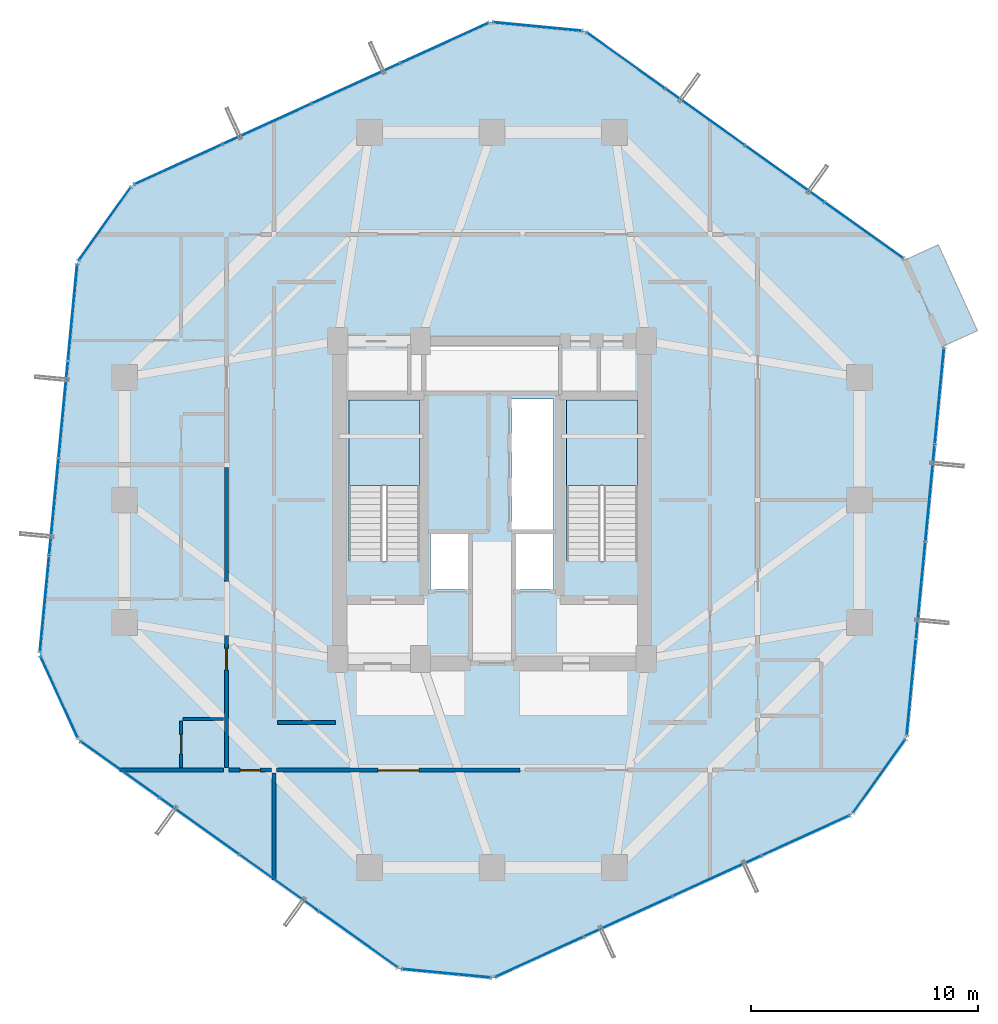
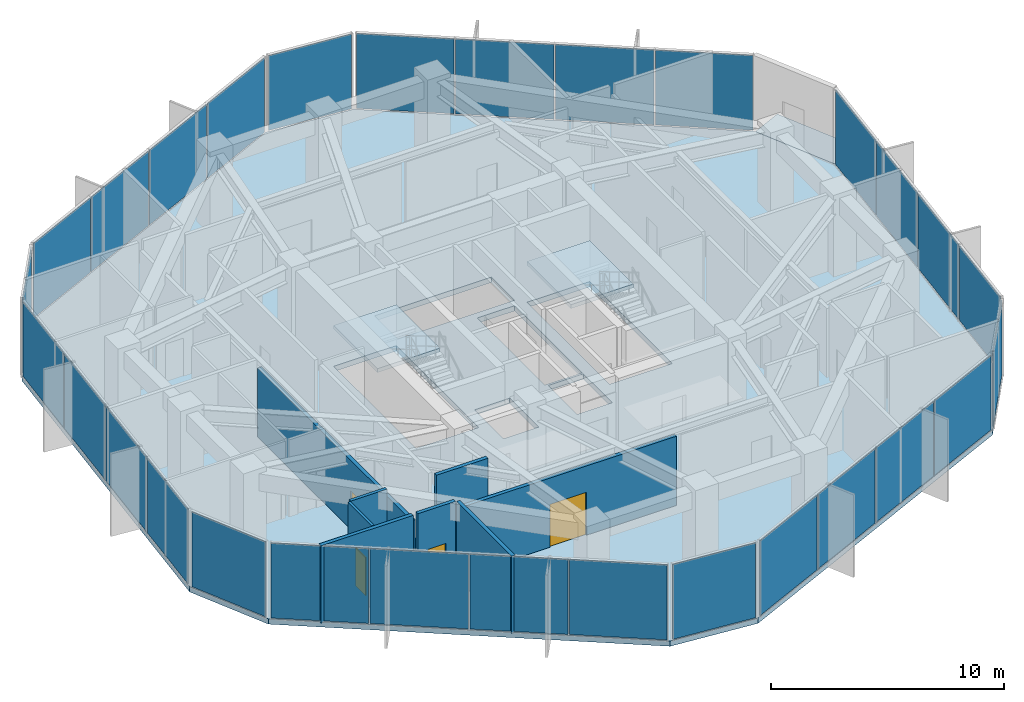
# One storey, part 20 of 25: 29 plates, 8 walls, 4 doors, 4 slabs, 4 openings, 13 elements without a shape of their own.
"""IFC4 building model written with IfcOpenShell, lengths in metres."""

import ifcopenshell
import ifcopenshell.guid

model = None  # the IFC model being written
_history = None  # IfcOwnerHistory: only IFC2X3 demands one
_inside = {}  # id of a spatial element -> (the spatial element, [elements in it])
_under = {}  # id of a project, library or spatial element -> (it, [spatial elements below it])
_declared = {}  # id of a project -> (the project, [libraries it declares])
_typed = {}  # id of a type object -> (the type object, [elements of that type])
_made_of = {}  # id of a material, layer set ... -> (it, [elements and type objects made of it])


def new_model(schema):
    """Start an empty IFC model of exactly this schema.

    Asked for "IFC4X3", IfcOpenShell would pick the latest addendum, in which some entities
    have other attributes; the version numbers below select the first issue.
    IFC2X3 requires an IfcOwnerHistory on every rooted entity: one is made here for all.
    """
    global model, _history
    if schema == "IFC4X3":
        model = ifcopenshell.file(schema_version=(4, 3, 0, 0))
    else:
        model = ifcopenshell.file(schema=schema)
    _inside.clear()
    _under.clear()
    _declared.clear()
    _typed.clear()
    _made_of.clear()
    _history = None
    if model.schema == "IFC2X3":
        org = make("IfcOrganization", Name="unknown")
        user = make(
            "IfcPersonAndOrganization",
            ThePerson=make("IfcPerson", FamilyName="unknown"),
            TheOrganization=org,
        )
        app = make(
            "IfcApplication",
            ApplicationDeveloper=org,
            Version="unknown",
            ApplicationFullName="unknown",
            ApplicationIdentifier="unknown",
        )
        _history = make(
            "IfcOwnerHistory",
            OwningUser=user,
            OwningApplication=app,
            ChangeAction="ADDED",
            CreationDate=0,
        )
    return model


def make(cls, **values):
    """One entity of the class cls with the attributes given. An attribute that is None is left unset."""
    return model.create_entity(
        cls, **{name: value for name, value in values.items() if value is not None}
    )


def rooted(cls, **values):
    """An entity with a GlobalId (a new one), such as an element, a storey or a relation."""
    return make(cls, GlobalId=ifcopenshell.guid.new(), OwnerHistory=_history, **values)


def si_unit(unit_type, name, prefix=None):
    """IfcSIUnit, for example si_unit("LENGTHUNIT", "METRE", prefix="MILLI")."""
    return make("IfcSIUnit", UnitType=unit_type, Prefix=prefix, Name=name)


def assignment(units):
    """IfcUnitAssignment: the units of a project."""
    return None if units is None else make("IfcUnitAssignment", Units=units)


def point(xyz):
    """IfcCartesianPoint."""
    return None if xyz is None else make("IfcCartesianPoint", Coordinates=xyz)


def direction(xyz):
    """IfcDirection."""
    return None if xyz is None else make("IfcDirection", DirectionRatios=xyz)


def frame(location, z_axis=None, x_axis=None):
    """IfcAxis2Placement3D, a coordinate frame: its origin and axes. An axis left out is left unset."""
    return make(
        "IfcAxis2Placement3D",
        Location=point(location),
        Axis=direction(z_axis),
        RefDirection=direction(x_axis),
    )


def frame_2d(location, x_axis=None):
    """IfcAxis2Placement2D, a coordinate frame in the plane: its origin and x axis."""
    return make(
        "IfcAxis2Placement2D", Location=point(location), RefDirection=direction(x_axis)
    )


def origin():
    """The frame at (0, 0, 0) with its axes left unset."""
    return frame((0.0, 0.0, 0.0))


def origin_2d():
    """The frame at (0, 0) in the plane with its x axis left unset."""
    return frame_2d((0.0, 0.0))


def place(relative_to, where):
    """IfcLocalPlacement: puts the frame where relative to a parent placement (None: the world)."""
    return make(
        "IfcLocalPlacement", PlacementRelTo=relative_to, RelativePlacement=where
    )


def context(
    kind, dimensions, precision=None, world=None, true_north=None, identifier=None
):
    """IfcGeometricRepresentationContext, for example the 3D "Model" context."""
    return make(
        "IfcGeometricRepresentationContext",
        ContextIdentifier=identifier,
        ContextType=kind,
        CoordinateSpaceDimension=dimensions,
        Precision=precision,
        WorldCoordinateSystem=world,
        TrueNorth=true_north,
    )


def subcontext(parent, identifier, kind, view, scale=None):
    """IfcGeometricRepresentationSubContext, for example "Body" below "Model"."""
    return make(
        "IfcGeometricRepresentationSubContext",
        ContextIdentifier=identifier,
        ContextType=kind,
        ParentContext=parent,
        TargetScale=scale,
        TargetView=view,
    )


def project(units=None, contexts=None):
    """IfcProject with its units and contexts."""
    return rooted(
        "IfcProject",
        Name="project",
        RepresentationContexts=contexts,
        UnitsInContext=assignment(units),
    )


def spatial(cls, under=None, at=None, **own):
    """A site, building, storey or space (cls), placed at a placement, below another one or the project."""
    s = rooted(cls, ObjectPlacement=at, **own)
    if under is not None:
        _under.setdefault(under.id(), (under, []))[1].append(s)
    return s


def polyline(points):
    """IfcPolyline through the points."""
    return make("IfcPolyline", Points=[point(p) for p in points])


def profile(cls, at=None, kind="AREA", **sizes):
    """A parametric profile (cls). Its sizes go by their IFC names, for example OverallWidth=200.0."""
    return make(cls, ProfileType=kind, Position=at, **sizes)


def rectangle(**sizes):
    """IfcRectangleProfileDef."""
    return profile("IfcRectangleProfileDef", **sizes)


def outline(outer, holes=None, kind="AREA"):
    """IfcArbitraryClosedProfileDef: a profile drawn as a closed curve; with holes, ...WithVoids."""
    if holes is None:
        return make("IfcArbitraryClosedProfileDef", ProfileType=kind, OuterCurve=outer)
    return make(
        "IfcArbitraryProfileDefWithVoids",
        ProfileType=kind,
        OuterCurve=outer,
        InnerCurves=holes,
    )


def extrude(swept, where, along, depth):
    """IfcExtrudedAreaSolid: the profile swept, set in the frame where, extruded along a direction by depth."""
    return make(
        "IfcExtrudedAreaSolid",
        SweptArea=swept,
        Position=where,
        ExtrudedDirection=direction(along),
        Depth=depth,
    )


def shape(context_of_items, identifier, shape_type, items):
    """IfcShapeRepresentation: the items that make up one representation, for example the "Body"."""
    return make(
        "IfcShapeRepresentation",
        ContextOfItems=context_of_items,
        RepresentationIdentifier=identifier,
        RepresentationType=shape_type,
        Items=items,
    )


def source(mapping_origin, context_of_items, identifier, shape_type, items):
    """IfcRepresentationMap: a shape defined once, which mapped items show again and again."""
    return make(
        "IfcRepresentationMap",
        MappingOrigin=mapping_origin,
        MappedRepresentation=shape(context_of_items, identifier, shape_type, items),
    )


def transform(
    local_origin,
    x_axis=None,
    y_axis=None,
    z_axis=None,
    scale=None,
    scale2=None,
    scale3=None,
    uniform=True,
):
    """IfcCartesianTransformationOperator3D, or its non-uniform kind. x_axis, y_axis, z_axis: its Axis1, 2, 3."""
    if uniform:
        return make(
            "IfcCartesianTransformationOperator3D",
            Axis1=direction(x_axis),
            Axis2=direction(y_axis),
            LocalOrigin=point(local_origin),
            Scale=scale,
            Axis3=direction(z_axis),
        )
    return make(
        "IfcCartesianTransformationOperator3DnonUniform",
        Axis1=direction(x_axis),
        Axis2=direction(y_axis),
        LocalOrigin=point(local_origin),
        Scale=scale,
        Axis3=direction(z_axis),
        Scale2=scale2,
        Scale3=scale3,
    )


def mapped(mapping_source, mapping_target):
    """IfcMappedItem: shows the shape of a source again, moved by a transform."""
    return make(
        "IfcMappedItem", MappingSource=mapping_source, MappingTarget=mapping_target
    )


def material(Name=None, Category=None):
    """IfcMaterial."""
    return make("IfcMaterial", Name=Name, Category=Category)


def layer(
    of_material, thickness, ventilated=None, Name=None, Category=None, Priority=None
):
    """IfcMaterialLayer: one layer of a wall or slab, of a material (None: an air gap)."""
    return make(
        "IfcMaterialLayer",
        Material=of_material,
        LayerThickness=thickness,
        IsVentilated=ventilated,
        Name=Name,
        Category=Category,
        Priority=Priority,
    )


def layer_set(layers, Name=None):
    """IfcMaterialLayerSet."""
    return make("IfcMaterialLayerSet", MaterialLayers=layers, LayerSetName=Name)


def made_of(thing, what):
    """Note that an element or type object is made of a material, layer set ...; save() writes the relation."""
    if what is not None:
        _made_of.setdefault(what.id(), (what, []))[1].append(thing)
    return thing


def type_object(cls, material=None, **own):
    """A type object (cls), such as IfcWallType, which elements share."""
    return made_of(rooted(cls, **own), material)


def element(
    cls,
    number,
    at=None,
    inside=None,
    cuts=None,
    type_object=None,
    material=None,
    context=None,
    identifier="Body",
    shape_type=None,
    held_by="IfcProductDefinitionShape",
    body=None,
    shapes=None,
    **own,
):
    """One element of the class cls, such as IfcWall. Its Tag is "e" and its number.

    at: its placement. inside: the storey or other place that contains it. cuts: it is an
    opening in that element (IfcRelVoidsElement). A single representation is given by context,
    identifier, shape_type and body (its items); several are given by shapes. held_by: the class
    of the entity that holds the representations. save() writes the other relations.
    """
    e = rooted(cls, Tag="e%d" % number, ObjectPlacement=at, **own)
    if body is not None:
        shapes = [shape(context, identifier, shape_type, body)]
    if shapes is not None:
        e.Representation = make(held_by, Representations=shapes)
    if inside is not None:
        _inside.setdefault(inside.id(), (inside, []))[1].append(e)
    if cuts is not None:
        rooted(
            "IfcRelVoidsElement", RelatingBuildingElement=cuts, RelatedOpeningElement=e
        )
    if type_object is not None:
        _typed.setdefault(type_object.id(), (type_object, []))[1].append(e)
    return made_of(e, material)


def fill(opening, filler):
    """IfcRelFillsElement: the door or window that sits in an opening."""
    return rooted(
        "IfcRelFillsElement",
        RelatingOpeningElement=opening,
        RelatedBuildingElement=filler,
    )


def aggregate(whole, parts):
    """IfcRelAggregates: a whole, such as a stair, and the parts it consists of."""
    return rooted("IfcRelAggregates", RelatingObject=whole, RelatedObjects=parts)


def save(model, path):
    """Write the relations noted so far, then the file.

    IfcRelAggregates (storeys below a building ...), IfcRelContainedInSpatialStructure (elements
    in a storey), IfcRelDefinesByType, IfcRelAssociatesMaterial and IfcRelDeclares: one each for
    every whole, place, type object, material and project.
    """
    for whole, parts in _under.values():
        aggregate(whole, parts)
    for where, things in _inside.values():
        rooted(
            "IfcRelContainedInSpatialStructure",
            RelatedElements=things,
            RelatingStructure=where,
        )
    for kind, things in _typed.values():
        rooted("IfcRelDefinesByType", RelatedObjects=things, RelatingType=kind)
    for what, things in _made_of.values():
        rooted("IfcRelAssociatesMaterial", RelatedObjects=things, RelatingMaterial=what)
    for by, libraries in _declared.values():
        rooted("IfcRelDeclares", RelatingContext=by, RelatedDefinitions=libraries)
    model.write(path)


model = new_model("IFC4")

# Units and contexts
model_context = context("Model", 3, precision=1e-05, world=origin(), true_north=direction((0.0, 1.0)))
body_context = subcontext(model_context, "Body", "Model", "MODEL_VIEW")
ifc_project = project(units=[si_unit("LENGTHUNIT", "METRE"), si_unit("AREAUNIT", "SQUARE_METRE"), si_unit("VOLUMEUNIT", "CUBIC_METRE"), si_unit("PLANEANGLEUNIT", "RADIAN"), si_unit("MASSUNIT", "GRAM", prefix="KILO")], contexts=[model_context])

# Site, building, storey
site_placement = place(None, origin())
site = spatial("IfcSite", under=ifc_project, at=site_placement, CompositionType="ELEMENT")
building_placement = place(site_placement, origin())
building = spatial("IfcBuilding", under=site, at=building_placement, Name="Veraguas Prism Commons", CompositionType="ELEMENT")
storey_placement = place(building_placement, frame((0.0, 0.0, 108.949951171875)))
storey = spatial("IfcBuildingStorey", under=building, at=storey_placement, Name="L30", CompositionType="ELEMENT", Elevation=108.949951171875)

# Slab
ifc_material_1 = material(Name="Concrete C45/55", Category="concrete")
ifc_layer_1 = layer(ifc_material_1, 0.280029296875, Name="Community Assembly Floor Slab RC 280", Category="concrete")
ifc_layer_set_1 = layer_set([ifc_layer_1], Name="Concrete C45/55")
slab_type_1 = type_object("IfcSlabType", Name="Community Assembly Floor Slab RC 280", PredefinedType="FLOOR", material=ifc_layer_set_1)
slab_1_placement = place(storey_placement, frame((0.0, 0.0, -0.280029296875)))
element("IfcSlab", 1, at=slab_1_placement, inside=storey, type_object=slab_type_1, Name="Tower Floor Slab L30", PredefinedType="FLOOR", context=body_context, shape_type="SweptSolid", body=[
    extrude(outline(polyline([(43.92578125, 30.798583984375), (42.20361328125, 34.577880859375), (28.0751953125, 44.655517578125), (23.941162109375, 45.0537109375), (8.1494140625, 37.85693359375), (5.737548828125, 34.475830078125), (4.07421875, 17.201416015625), (5.79638671875, 13.422119140625), (19.9248046875, 3.344482421875), (24.058837890625, 2.9462890625), (39.8505859375, 10.14306640625), (42.262451171875, 13.524169921875), (43.92578125, 30.798583984375)]), holes=[polyline([(20.800048828125, 21.31005859375), (20.800048828125, 28.39990234375), (17.68994140625, 28.39990234375), (17.68994140625, 21.31005859375), (20.800048828125, 21.31005859375)]), polyline([(30.39990234375, 21.31005859375), (30.39990234375, 28.39990234375), (27.2900390625, 28.39990234375), (27.2900390625, 21.31005859375), (30.39990234375, 21.31005859375)]), polyline([(24.85009765625, 22.64990234375), (26.699951171875, 22.64990234375), (26.699951171875, 28.449951171875), (24.85009765625, 28.449951171875), (24.85009765625, 22.64990234375)]), polyline([(21.10009765625, 28.800048828125), (26.89990234375, 28.800048828125), (26.89990234375, 30.800048828125), (21.10009765625, 30.800048828125), (21.10009765625, 28.800048828125)]), polyline([(21.300048828125, 20.050048828125), (23.050048828125, 20.050048828125), (23.050048828125, 22.550048828125), (21.300048828125, 22.550048828125), (21.300048828125, 20.050048828125)]), polyline([(24.949951171875, 20.050048828125), (26.699951171875, 20.050048828125), (26.699951171875, 22.550048828125), (24.949951171875, 22.550048828125), (24.949951171875, 20.050048828125)])]), origin(), (0.0, 0.0, 1.0), 0.280029296875),
])

# Stair, slab
ifc_material_2 = material(Name="Precast concrete C45/55", Category="concrete")
stair_type = type_object("IfcStairType", Name="Dogleg Core Stair 1480W 26R 06", PredefinedType="HALF_TURN_STAIR", material=ifc_material_2)
stair_1_placement = place(storey_placement, origin())
stair_1 = element("IfcStair", 2, at=stair_1_placement, inside=storey, type_object=stair_type, Name="Protected Exit Stair ST-01 L30", PredefinedType="HALF_TURN_STAIR")
ifc_layer_2 = layer(ifc_material_2, 0.199951171875, Name="Precast Stair and Ramp Landing Slab 200", Category="concrete")
ifc_layer_set_2 = layer_set([ifc_layer_2], Name="Precast concrete C45/55")
slab_type_2 = type_object("IfcSlabType", Name="Precast Stair and Ramp Landing Slab 200", PredefinedType="LANDING", material=ifc_layer_set_2)
slab_2_placement = place(storey_placement, frame((0.0, 0.0, 1.949951171875)))
slab_2 = element("IfcSlab", 3, at=slab_2_placement, type_object=slab_type_2, Name="ST-06 Landing 1", PredefinedType="LANDING", context=body_context, shape_type="SweptSolid", body=[
    extrude(outline(polyline([(20.800048828125, 24.639892578125), (20.800048828125, 28.39990234375), (17.68994140625, 28.39990234375), (17.68994140625, 24.639892578125), (20.800048828125, 24.639892578125)])), origin(), (0.0, 0.0, 1.0), 0.2001953125),
])
aggregate(stair_1, [slab_2])

stair_2_placement = place(storey_placement, origin())
stair_2 = element("IfcStair", 4, at=stair_2_placement, inside=storey, type_object=stair_type, Name="Protected Exit Stair ST-02 L30", PredefinedType="HALF_TURN_STAIR")
slab_3_placement = place(storey_placement, frame((0.0, 0.0, 1.949951171875)))
slab_3 = element("IfcSlab", 5, at=slab_3_placement, type_object=slab_type_2, Name="ST-06 Landing 1", PredefinedType="LANDING", context=body_context, shape_type="SweptSolid", body=[
    extrude(outline(polyline([(30.39990234375, 24.639892578125), (30.39990234375, 28.39990234375), (27.2900390625, 28.39990234375), (27.2900390625, 24.639892578125), (30.39990234375, 24.639892578125)])), origin(), (0.0, 0.0, 1.0), 0.2001953125),
])
aggregate(stair_2, [slab_3])

# Slab
ifc_layer_3 = layer(ifc_material_1, 0.219970703125, Name="Recessed Loggia and Terrace Slab RC 220", Category="concrete")
ifc_layer_set_3 = layer_set([ifc_layer_3], Name="Concrete C45/55")
slab_type_3 = type_object("IfcSlabType", Name="Recessed Loggia and Terrace Slab RC 220", PredefinedType="FLOOR", material=ifc_layer_set_3)
slab_4_placement = place(storey_placement, frame((0.0, 0.0, -0.219970703125)))
element("IfcSlab", 6, at=slab_4_placement, inside=storey, type_object=slab_type_3, Name="Recessed Corner Loggia L30-C1", PredefinedType="FLOOR", context=body_context, shape_type="SweptSolid", body=[
    extrude(outline(polyline([(43.90771484375, 30.790283203125), (45.381591796875, 31.462158203125), (43.659423828125, 35.241455078125), (42.185302734375, 34.569580078125), (43.90771484375, 30.790283203125)])), origin(), (0.0, 0.0, 1.0), 0.219970703125),
])

# Curtain wall, plates
ifc_material_3 = material(Name="Anodised aluminium EN AW-6063 T6", Category="aluminium")
ifc_layer_4 = layer(ifc_material_3, 0.199951171875, Name="Sky Lobby and Pool Acoustic Curtain Wall", Category="aluminium")
ifc_layer_set_4 = layer_set([ifc_layer_4], Name="Anodised aluminium EN AW-6063 T6")
curtain_wall_type = type_object("IfcCurtainWallType", Name="Sky Lobby and Pool Acoustic Curtain Wall", PredefinedType="NOTDEFINED", material=ifc_layer_set_4)
curtain_wall_1_placement = place(storey_placement, origin())
curtain_wall_1 = element("IfcCurtainWall", 7, at=curtain_wall_1_placement, inside=storey, type_object=curtain_wall_type, Name="Tower Facade Curtain Wall L30-F1", PredefinedType="NOTDEFINED")
ifc_material_4 = material(Name="Laminated low-e glass", Category="glass")
ifc_layer_5 = layer(ifc_material_4, 0.031982421875, Name="Concourse Acoustic Triple Glazed Panel 32", Category="glass")
ifc_layer_set_5 = layer_set([ifc_layer_5], Name="Laminated low-e glass")
plate_type = type_object("IfcPlateType", Name="Concourse Acoustic Triple Glazed Panel 32", PredefinedType="CURTAIN_PANEL", material=ifc_layer_set_5)
shared_shape_1 = source(origin(), body_context, "Body", "SweptSolid", [
    extrude(rectangle(XDim=4.211181640625, YDim=0.031982421875, at=origin_2d()), origin(), (0.0, 0.0, 1.0), 3.929931640625),
])
plate_1_placement = place(storey_placement, frame((40.3876953125, 35.873046875, 0.06005859375), z_axis=(0.0, 0.0, 1.0), x_axis=(-0.814114504837, 0.58070437661, 0.0)))
plate_1 = element("IfcPlate", 8, at=plate_1_placement, type_object=plate_type, Name="CW-SKY Panel 1.1", PredefinedType="CURTAIN_PANEL", context=body_context, shape_type="MappedRepresentation", body=[
    mapped(shared_shape_1, transform((0.0, 0.0, 0.0), scale=1.0)),
])
plate_2_placement = place(storey_placement, frame((29.890869140625, 43.3603515625, 0.06005859375), z_axis=(0.0, 0.0, 1.0), x_axis=(-0.814114504837, 0.58070437661, 0.0)))
plate_2 = element("IfcPlate", 9, at=plate_2_placement, type_object=plate_type, Name="CW-SKY Panel 4.1", PredefinedType="CURTAIN_PANEL", context=body_context, shape_type="MappedRepresentation", body=[
    mapped(shared_shape_1, transform((0.0, 0.0, 0.0), scale=1.0)),
])

curtain_wall_2_placement = place(storey_placement, origin())
curtain_wall_2 = element("IfcCurtainWall", 10, at=curtain_wall_2_placement, inside=storey, type_object=curtain_wall_type, Name="Tower Facade Curtain Wall L30-F2", PredefinedType="NOTDEFINED")
plate_3_placement = place(storey_placement, frame((21.911376953125, 44.128662109375, 0.06005859375), z_axis=(0.0, 0.0, 1.0), x_axis=(-0.909960547099, -0.414694830838, 0.0)))
plate_3 = element("IfcPlate", 11, at=plate_3_placement, type_object=plate_type, Name="CW-SKY Panel 1.1", PredefinedType="CURTAIN_PANEL", context=body_context, shape_type="MappedRepresentation", body=[
    mapped(shared_shape_1, transform((0.0, 0.0, 0.0), scale=1.0)),
])
plate_4_placement = place(storey_placement, frame((10.178955078125, 38.781982421875, 0.06005859375), z_axis=(0.0, 0.0, 1.0), x_axis=(-0.909960547099, -0.414694830838, 0.0)))
plate_4 = element("IfcPlate", 12, at=plate_4_placement, type_object=plate_type, Name="CW-SKY Panel 4.1", PredefinedType="CURTAIN_PANEL", context=body_context, shape_type="MappedRepresentation", body=[
    mapped(shared_shape_1, transform((0.0, 0.0, 0.0), scale=1.0)),
])

curtain_wall_3_placement = place(storey_placement, origin())
curtain_wall_3 = element("IfcCurtainWall", 13, at=curtain_wall_3_placement, inside=storey, type_object=curtain_wall_type, Name="Tower Facade Curtain Wall L30-F3", PredefinedType="NOTDEFINED")
plate_5_placement = place(storey_placement, frame((5.523681640625, 32.255615234375, 0.06005859375), z_axis=(0.0, 0.0, 1.0), x_axis=(-0.095837066046, -0.995397034741, 0.0)))
plate_5 = element("IfcPlate", 14, at=plate_5_placement, type_object=plate_type, Name="CW-SKY Panel 1.1", PredefinedType="CURTAIN_PANEL", context=body_context, shape_type="MappedRepresentation", body=[
    mapped(shared_shape_1, transform((0.0, 0.0, 0.0), scale=1.0)),
])
plate_6_placement = place(storey_placement, frame((4.2880859375, 19.421630859375, 0.06005859375), z_axis=(0.0, 0.0, 1.0), x_axis=(-0.095837066046, -0.995397034741, 0.0)))
plate_6 = element("IfcPlate", 15, at=plate_6_placement, type_object=plate_type, Name="CW-SKY Panel 4.1", PredefinedType="CURTAIN_PANEL", context=body_context, shape_type="MappedRepresentation", body=[
    mapped(shared_shape_1, transform((0.0, 0.0, 0.0), scale=1.0)),
])

curtain_wall_4_placement = place(storey_placement, origin())
curtain_wall_4 = element("IfcCurtainWall", 16, at=curtain_wall_4_placement, inside=storey, type_object=curtain_wall_type, Name="Tower Facade Curtain Wall L30-F4", PredefinedType="NOTDEFINED")
plate_7_placement = place(storey_placement, frame((7.6123046875, 12.126953125, 0.06005859375), z_axis=(0.0, 0.0, 1.0), x_axis=(0.814114504837, -0.58070437661, 0.0)))
plate_7 = element("IfcPlate", 17, at=plate_7_placement, type_object=plate_type, Name="CW-SKY Panel 1.1", PredefinedType="CURTAIN_PANEL", context=body_context, shape_type="MappedRepresentation", body=[
    mapped(shared_shape_1, transform((0.0, 0.0, 0.0), scale=1.0)),
])
plate_8_placement = place(storey_placement, frame((18.109130859375, 4.6396484375, 0.06005859375), z_axis=(0.0, 0.0, 1.0), x_axis=(0.814114504837, -0.58070437661, 0.0)))
plate_8 = element("IfcPlate", 18, at=plate_8_placement, type_object=plate_type, Name="CW-SKY Panel 4.1", PredefinedType="CURTAIN_PANEL", context=body_context, shape_type="MappedRepresentation", body=[
    mapped(shared_shape_1, transform((0.0, 0.0, 0.0), scale=1.0)),
])

curtain_wall_5_placement = place(storey_placement, origin())
curtain_wall_5 = element("IfcCurtainWall", 19, at=curtain_wall_5_placement, inside=storey, type_object=curtain_wall_type, Name="Tower Facade Curtain Wall L30-F5", PredefinedType="NOTDEFINED")
plate_9_placement = place(storey_placement, frame((26.088623046875, 3.871337890625, 0.06005859375), z_axis=(0.0, 0.0, 1.0), x_axis=(0.909960547099, 0.414694830838, 0.0)))
plate_9 = element("IfcPlate", 20, at=plate_9_placement, type_object=plate_type, Name="CW-SKY Panel 1.1", PredefinedType="CURTAIN_PANEL", context=body_context, shape_type="MappedRepresentation", body=[
    mapped(shared_shape_1, transform((0.0, 0.0, 0.0), scale=1.0)),
])
plate_10_placement = place(storey_placement, frame((37.821044921875, 9.218017578125, 0.06005859375), z_axis=(0.0, 0.0, 1.0), x_axis=(0.909960547099, 0.414694830838, 0.0)))
plate_10 = element("IfcPlate", 21, at=plate_10_placement, type_object=plate_type, Name="CW-SKY Panel 4.1", PredefinedType="CURTAIN_PANEL", context=body_context, shape_type="MappedRepresentation", body=[
    mapped(shared_shape_1, transform((0.0, 0.0, 0.0), scale=1.0)),
])

curtain_wall_6_placement = place(storey_placement, origin())
curtain_wall_6 = element("IfcCurtainWall", 22, at=curtain_wall_6_placement, inside=storey, type_object=curtain_wall_type, Name="Tower Facade Curtain Wall L30-F6", PredefinedType="NOTDEFINED")
plate_11_placement = place(storey_placement, frame((42.476318359375, 15.744384765625, 0.06005859375), z_axis=(0.0, 0.0, 1.0), x_axis=(0.095837066046, 0.995397034741, 0.0)))
plate_11 = element("IfcPlate", 23, at=plate_11_placement, type_object=plate_type, Name="CW-SKY Panel 1.1", PredefinedType="CURTAIN_PANEL", context=body_context, shape_type="MappedRepresentation", body=[
    mapped(shared_shape_1, transform((0.0, 0.0, 0.0), scale=1.0)),
])
plate_12_placement = place(storey_placement, frame((43.7119140625, 28.578369140625, 0.06005859375), z_axis=(0.0, 0.0, 1.0), x_axis=(0.095837066046, 0.995397034741, 0.0)))
plate_12 = element("IfcPlate", 24, at=plate_12_placement, type_object=plate_type, Name="CW-SKY Panel 4.1", PredefinedType="CURTAIN_PANEL", context=body_context, shape_type="MappedRepresentation", body=[
    mapped(shared_shape_1, transform((0.0, 0.0, 0.0), scale=1.0)),
])

# Plate
shared_shape_2 = source(origin(), body_context, "Body", "SweptSolid", [
    extrude(rectangle(XDim=4.24365234375, YDim=0.031982421875, at=origin_2d()), origin(), (0.0, 0.0, 1.0), 3.929931640625),
])
plate_13_placement = place(storey_placement, frame((36.89306640625, 38.36572265625, 0.06005859375), z_axis=(0.0, 0.0, 1.0), x_axis=(-0.814114504837, 0.58070437661, 0.0)))
plate_13 = element("IfcPlate", 25, at=plate_13_placement, type_object=plate_type, Name="CW-SKY Panel 2.1", PredefinedType="CURTAIN_PANEL", context=body_context, shape_type="MappedRepresentation", body=[
    mapped(shared_shape_2, transform((0.0, 0.0, 0.0), scale=1.0)),
])

plate_14_placement = place(storey_placement, frame((33.385498046875, 40.86767578125, 0.06005859375), z_axis=(0.0, 0.0, 1.0), x_axis=(-0.814114504837, 0.58070437661, 0.0)))
plate_14 = element("IfcPlate", 26, at=plate_14_placement, type_object=plate_type, Name="CW-SKY Panel 3.1", PredefinedType="CURTAIN_PANEL", context=body_context, shape_type="MappedRepresentation", body=[
    mapped(shared_shape_2, transform((0.0, 0.0, 0.0), scale=1.0)),
])

aggregate(curtain_wall_1, [plate_1, plate_13, plate_14, plate_2])

plate_15_placement = place(storey_placement, frame((18.005615234375, 42.3486328125, 0.06005859375), z_axis=(0.0, 0.0, 1.0), x_axis=(-0.909960547099, -0.414694830838, 0.0)))
plate_15 = element("IfcPlate", 27, at=plate_15_placement, type_object=plate_type, Name="CW-SKY Panel 2.1", PredefinedType="CURTAIN_PANEL", context=body_context, shape_type="MappedRepresentation", body=[
    mapped(shared_shape_2, transform((0.0, 0.0, 0.0), scale=1.0)),
])

plate_16_placement = place(storey_placement, frame((14.0849609375, 40.56201171875, 0.06005859375), z_axis=(0.0, 0.0, 1.0), x_axis=(-0.909960547099, -0.414694830838, 0.0)))
plate_16 = element("IfcPlate", 28, at=plate_16_placement, type_object=plate_type, Name="CW-SKY Panel 3.1", PredefinedType="CURTAIN_PANEL", context=body_context, shape_type="MappedRepresentation", body=[
    mapped(shared_shape_2, transform((0.0, 0.0, 0.0), scale=1.0)),
])

aggregate(curtain_wall_2, [plate_3, plate_15, plate_16, plate_4])

plate_17_placement = place(storey_placement, frame((5.1123046875, 27.98291015625, 0.06005859375), z_axis=(0.0, 0.0, 1.0), x_axis=(-0.095837066046, -0.995397034741, 0.0)))
plate_17 = element("IfcPlate", 29, at=plate_17_placement, type_object=plate_type, Name="CW-SKY Panel 2.1", PredefinedType="CURTAIN_PANEL", context=body_context, shape_type="MappedRepresentation", body=[
    mapped(shared_shape_2, transform((0.0, 0.0, 0.0), scale=1.0)),
])

plate_18_placement = place(storey_placement, frame((4.699462890625, 23.694091796875, 0.06005859375), z_axis=(0.0, 0.0, 1.0), x_axis=(-0.095837066046, -0.995397034741, 0.0)))
plate_18 = element("IfcPlate", 30, at=plate_18_placement, type_object=plate_type, Name="CW-SKY Panel 3.1", PredefinedType="CURTAIN_PANEL", context=body_context, shape_type="MappedRepresentation", body=[
    mapped(shared_shape_2, transform((0.0, 0.0, 0.0), scale=1.0)),
])

aggregate(curtain_wall_3, [plate_5, plate_17, plate_18, plate_6])

plate_19_placement = place(storey_placement, frame((11.10693359375, 9.63427734375, 0.06005859375), z_axis=(0.0, 0.0, 1.0), x_axis=(0.814114504837, -0.58070437661, 0.0)))
plate_19 = element("IfcPlate", 31, at=plate_19_placement, type_object=plate_type, Name="CW-SKY Panel 2.1", PredefinedType="CURTAIN_PANEL", context=body_context, shape_type="MappedRepresentation", body=[
    mapped(shared_shape_2, transform((0.0, 0.0, 0.0), scale=1.0)),
])

plate_20_placement = place(storey_placement, frame((14.614501953125, 7.13232421875, 0.06005859375), z_axis=(0.0, 0.0, 1.0), x_axis=(0.814114504837, -0.58070437661, 0.0)))
plate_20 = element("IfcPlate", 32, at=plate_20_placement, type_object=plate_type, Name="CW-SKY Panel 3.1", PredefinedType="CURTAIN_PANEL", context=body_context, shape_type="MappedRepresentation", body=[
    mapped(shared_shape_2, transform((0.0, 0.0, 0.0), scale=1.0)),
])

aggregate(curtain_wall_4, [plate_7, plate_19, plate_20, plate_8])

plate_21_placement = place(storey_placement, frame((29.994384765625, 5.6513671875, 0.06005859375), z_axis=(0.0, 0.0, 1.0), x_axis=(0.909960547099, 0.414694830838, 0.0)))
plate_21 = element("IfcPlate", 33, at=plate_21_placement, type_object=plate_type, Name="CW-SKY Panel 2.1", PredefinedType="CURTAIN_PANEL", context=body_context, shape_type="MappedRepresentation", body=[
    mapped(shared_shape_2, transform((0.0, 0.0, 0.0), scale=1.0)),
])

plate_22_placement = place(storey_placement, frame((33.9150390625, 7.43798828125, 0.06005859375), z_axis=(0.0, 0.0, 1.0), x_axis=(0.909960547099, 0.414694830838, 0.0)))
plate_22 = element("IfcPlate", 34, at=plate_22_placement, type_object=plate_type, Name="CW-SKY Panel 3.1", PredefinedType="CURTAIN_PANEL", context=body_context, shape_type="MappedRepresentation", body=[
    mapped(shared_shape_2, transform((0.0, 0.0, 0.0), scale=1.0)),
])

aggregate(curtain_wall_5, [plate_9, plate_21, plate_22, plate_10])

plate_23_placement = place(storey_placement, frame((42.8876953125, 20.01708984375, 0.06005859375), z_axis=(0.0, 0.0, 1.0), x_axis=(0.095837066046, 0.995397034741, 0.0)))
plate_23 = element("IfcPlate", 35, at=plate_23_placement, type_object=plate_type, Name="CW-SKY Panel 2.1", PredefinedType="CURTAIN_PANEL", context=body_context, shape_type="MappedRepresentation", body=[
    mapped(shared_shape_2, transform((0.0, 0.0, 0.0), scale=1.0)),
])

plate_24_placement = place(storey_placement, frame((43.300537109375, 24.305908203125, 0.06005859375), z_axis=(0.0, 0.0, 1.0), x_axis=(0.095837066046, 0.995397034741, 0.0)))
plate_24 = element("IfcPlate", 36, at=plate_24_placement, type_object=plate_type, Name="CW-SKY Panel 3.1", PredefinedType="CURTAIN_PANEL", context=body_context, shape_type="MappedRepresentation", body=[
    mapped(shared_shape_2, transform((0.0, 0.0, 0.0), scale=1.0)),
])

aggregate(curtain_wall_6, [plate_11, plate_23, plate_24, plate_12])

# Curtain wall, plate
curtain_wall_7_placement = place(storey_placement, origin())
curtain_wall_7 = element("IfcCurtainWall", 37, at=curtain_wall_7_placement, inside=storey, type_object=curtain_wall_type, Name="Chamfer Curtain Wall L30-C3", PredefinedType="NOTDEFINED")
shared_shape_3 = source(origin(), body_context, "Body", "SweptSolid", [
    extrude(rectangle(XDim=3.9033203125, YDim=0.031982421875, at=origin_2d()), origin(), (0.0, 0.0, 1.0), 3.929931640625),
])
plate_25_placement = place(storey_placement, frame((6.943359375, 36.166259765625, 0.06005859375), z_axis=(0.0, 0.0, 1.0), x_axis=(-0.580720006379, -0.814103355964, 0.0)))
plate_25 = element("IfcPlate", 38, at=plate_25_placement, type_object=plate_type, Name="CW-SKY Panel 1.1", PredefinedType="CURTAIN_PANEL", context=body_context, shape_type="MappedRepresentation", body=[
    mapped(shared_shape_3, transform((0.0, 0.0, 0.0), scale=1.0)),
])
aggregate(curtain_wall_7, [plate_25])

curtain_wall_8_placement = place(storey_placement, origin())
curtain_wall_8 = element("IfcCurtainWall", 39, at=curtain_wall_8_placement, inside=storey, type_object=curtain_wall_type, Name="Chamfer Curtain Wall L30-C6", PredefinedType="NOTDEFINED")
plate_26_placement = place(storey_placement, frame((41.056640625, 11.833740234375, 0.06005859375), z_axis=(0.0, 0.0, 1.0), x_axis=(0.580720006379, 0.814103355964, 0.0)))
plate_26 = element("IfcPlate", 40, at=plate_26_placement, type_object=plate_type, Name="CW-SKY Panel 1.1", PredefinedType="CURTAIN_PANEL", context=body_context, shape_type="MappedRepresentation", body=[
    mapped(shared_shape_3, transform((0.0, 0.0, 0.0), scale=1.0)),
])
aggregate(curtain_wall_8, [plate_26])

curtain_wall_9_placement = place(storey_placement, origin())
curtain_wall_9 = element("IfcCurtainWall", 41, at=curtain_wall_9_placement, inside=storey, type_object=curtain_wall_type, Name="Chamfer Curtain Wall L30-C2", PredefinedType="NOTDEFINED")
shared_shape_4 = source(origin(), body_context, "Body", "SweptSolid", [
    extrude(rectangle(XDim=3.903076171875, YDim=0.031982421875, at=origin_2d()), origin(), (0.0, 0.0, 1.0), 3.929931640625),
])
plate_27_placement = place(storey_placement, frame((26.008056640625, 44.854736328125, 0.06005859375), z_axis=(0.0, 0.0, 1.0), x_axis=(-0.995397703786, 0.095830116861, 0.0)))
plate_27 = element("IfcPlate", 42, at=plate_27_placement, type_object=plate_type, Name="CW-SKY Panel 1.1", PredefinedType="CURTAIN_PANEL", context=body_context, shape_type="MappedRepresentation", body=[
    mapped(shared_shape_4, transform((0.0, 0.0, 0.0), scale=1.0)),
])
aggregate(curtain_wall_9, [plate_27])

curtain_wall_10_placement = place(storey_placement, origin())
curtain_wall_10 = element("IfcCurtainWall", 43, at=curtain_wall_10_placement, inside=storey, type_object=curtain_wall_type, Name="Chamfer Curtain Wall L30-C4", PredefinedType="NOTDEFINED")
plate_28_placement = place(storey_placement, frame((4.935302734375, 15.311767578125, 0.06005859375), z_axis=(0.0, 0.0, 1.0), x_axis=(0.41469006629, -0.909962718423, 0.0)))
plate_28 = element("IfcPlate", 44, at=plate_28_placement, type_object=plate_type, Name="CW-SKY Panel 1.1", PredefinedType="CURTAIN_PANEL", context=body_context, shape_type="MappedRepresentation", body=[
    mapped(shared_shape_4, transform((0.0, 0.0, 0.0), scale=1.0)),
])
aggregate(curtain_wall_10, [plate_28])

curtain_wall_11_placement = place(storey_placement, origin())
curtain_wall_11 = element("IfcCurtainWall", 45, at=curtain_wall_11_placement, inside=storey, type_object=curtain_wall_type, Name="Chamfer Curtain Wall L30-C5", PredefinedType="NOTDEFINED")
plate_29_placement = place(storey_placement, frame((21.991943359375, 3.145263671875, 0.06005859375), z_axis=(0.0, 0.0, 1.0), x_axis=(0.995397703786, -0.095830116861, 0.0)))
plate_29 = element("IfcPlate", 46, at=plate_29_placement, type_object=plate_type, Name="CW-SKY Panel 1.1", PredefinedType="CURTAIN_PANEL", context=body_context, shape_type="MappedRepresentation", body=[
    mapped(shared_shape_4, transform((0.0, 0.0, 0.0), scale=1.0)),
])
aggregate(curtain_wall_11, [plate_29])

# Walls
ifc_material_5 = material(Name="Autoclaved aerated masonry block 10 MPa", Category="masonry")
ifc_layer_6 = layer(ifc_material_5, 0.179931640625, Name="Corridor and Inter-Tenancy Partition 180", Category="masonry")
ifc_layer_set_6 = layer_set([ifc_layer_6], Name="Autoclaved aerated masonry block 10 MPa")
wall_type_1 = type_object("IfcWallType", Name="Corridor and Inter-Tenancy Partition 180", PredefinedType="PARTITIONING", material=ifc_layer_set_6)
wall_1_placement = place(storey_placement, frame((14.550048828125, 14.199951171875, 0.0), z_axis=(0.0, 0.0, 1.0), x_axis=(1.0, 0.0, 0.0)))
element("IfcWall", 47, at=wall_1_placement, inside=storey, type_object=wall_type_1, Name="WL-L30-IRWS", PredefinedType="PARTITIONING", context=body_context, shape_type="SweptSolid", body=[
    extrude(rectangle(XDim=2.550048828125, YDim=0.179931640625, at=frame_2d((1.27490234375, 0.0))), origin(), (0.0, 0.0, 1.0), 4.050048828125),
])
wall_2_placement = place(storey_placement, frame((14.39990234375, 11.97998046875, 0.0), z_axis=(0.0, 0.0, 1.0), x_axis=(0.0, -1.0, 0.0)))
element("IfcWall", 48, at=wall_2_placement, inside=storey, type_object=wall_type_1, Name="WL-L30-PT001", PredefinedType="PARTITIONING", context=body_context, shape_type="SweptSolid", body=[
    extrude(rectangle(XDim=4.731689453125, YDim=0.179931640625, at=frame_2d((2.36572265625, 0.0))), origin(), (0.0, 0.0, 1.0), 4.050048828125),
])

# Wall, opening, door
wall_3_placement = place(storey_placement, frame((14.510009765625, 12.10009765625, 0.0), z_axis=(0.0, 0.0, 1.0), x_axis=(1.0, 0.0, 0.0)))
wall_3 = element("IfcWall", 49, at=wall_3_placement, inside=storey, type_object=wall_type_1, Name="WL-L30-PT003", PredefinedType="PARTITIONING", context=body_context, shape_type="SweptSolid", body=[
    extrude(rectangle(XDim=10.723876953125, YDim=0.179931640625, at=frame_2d((5.36181640625, 0.0))), origin(), (0.0, 0.0, 1.0), 3.630126953125),
])
opening_1_placement = place(wall_3_placement, frame((4.4619140625, 0.0, 0.0)))
opening_1 = element("IfcOpeningElement", 50, at=opening_1_placement, cuts=wall_3, Name="Opening DR-07", PredefinedType="OPENING", context=body_context, shape_type="SweptSolid", body=[
    extrude(rectangle(XDim=1.800048828125, YDim=2.25, at=frame_2d((0.89990234375, 1.125))), frame((0.0, 0.099853515625, 0.0), z_axis=(0.0, -1.0, 0.0), x_axis=(1.0, 0.0, 0.0)), (0.0, 0.0, 1.0), 0.199951171875),
])
ifc_material_6 = material(Name="Steel fire-rated door assembly", Category="steel")
door_type_1 = type_object("IfcDoorType", Name="Corridor Double Fire Door 1800x2250", OperationType="NOTDEFINED", PredefinedType="DOOR", material=ifc_material_6)
shared_shape_5 = source(origin(), body_context, "Body", "SweptSolid", [
    extrude(rectangle(XDim=1.800048828125, YDim=2.25, at=frame_2d((0.89990234375, 1.125))), frame((0.0, 0.02490234375, 0.0), z_axis=(0.0, -1.0, 0.0), x_axis=(1.0, 0.0, 0.0)), (0.0, 0.0, 1.0), 0.050048828125),
])
door_1_placement = place(opening_1_placement, origin())
door_1 = element("IfcDoor", 51, at=door_1_placement, inside=storey, type_object=door_type_1, Name="Community Multipurpose Assembly Hall Door 1", OperationType="SINGLE_SWING_LEFT", OverallHeight=2.25, OverallWidth=1.800048828125, PredefinedType="DOOR", context=body_context, shape_type="MappedRepresentation", body=[
    mapped(shared_shape_5, transform((0.0, 0.0, 0.0), scale=1.0)),
])
fill(opening_1, door_1)

# Wall
wall_4_placement = place(storey_placement, frame((12.179931640625, 12.10009765625, 0.0), z_axis=(0.0, 0.0, 1.0), x_axis=(-1.0, 0.0, 0.0)))
element("IfcWall", 52, at=wall_4_placement, inside=storey, type_object=wall_type_1, Name="WL-L30-PT009", PredefinedType="PARTITIONING", context=body_context, shape_type="SweptSolid", body=[
    extrude(rectangle(XDim=4.58154296875, YDim=0.179931640625, at=frame_2d((2.290771484375, 0.0))), origin(), (0.0, 0.0, 1.0), 4.050048828125),
])

# Wall, opening, door
wall_5_placement = place(storey_placement, frame((12.300048828125, 12.2099609375, 0.0), z_axis=(0.0, 0.0, 1.0), x_axis=(0.0, 1.0, 0.0)))
wall_5 = element("IfcWall", 53, at=wall_5_placement, inside=storey, type_object=wall_type_1, Name="WL-L30-PT011", PredefinedType="PARTITIONING", context=body_context, shape_type="SweptSolid", body=[
    extrude(rectangle(XDim=13.23193359375, YDim=0.179931640625, at=frame_2d((6.615966796875, 0.0))), origin(), (0.0, 0.0, 1.0), 3.630126953125),
])
opening_2_placement = place(wall_5_placement, frame((4.306396484375, 0.0, 0.0)))
opening_2 = element("IfcOpeningElement", 54, at=opening_2_placement, cuts=wall_5, Name="Opening DR-01", PredefinedType="OPENING", context=body_context, shape_type="SweptSolid", body=[
    extrude(rectangle(XDim=0.949951171875, YDim=2.02001953125, at=frame_2d((0.47509765625, 1.010009765625))), frame((0.0, 0.099853515625, 0.0), z_axis=(0.0, -1.0, 0.0), x_axis=(1.0, 0.0, 0.0)), (0.0, 0.0, 1.0), 0.199951171875),
])
door_type_2 = type_object("IfcDoorType", Name="Apartment Entrance Fire Door 950x2020", OperationType="NOTDEFINED", PredefinedType="DOOR", material=ifc_material_3)
shared_shape_6 = source(origin(), body_context, "Body", "SweptSolid", [
    extrude(rectangle(XDim=0.949951171875, YDim=2.02001953125, at=frame_2d((0.47509765625, 1.010009765625))), frame((0.0, 0.02490234375, 0.0), z_axis=(0.0, -1.0, 0.0), x_axis=(1.0, 0.0, 0.0)), (0.0, 0.0, 1.0), 0.050048828125),
])
door_2_placement = place(opening_2_placement, origin())
door_2 = element("IfcDoor", 55, at=door_2_placement, inside=storey, type_object=door_type_2, Name="Flat 30A Entrance Door", OperationType="SINGLE_SWING_LEFT", OverallHeight=2.02001953125, OverallWidth=0.949951171875, PredefinedType="DOOR", context=body_context, shape_type="MappedRepresentation", body=[
    mapped(shared_shape_6, transform((0.0, 0.0, 0.0), scale=1.0)),
])
fill(opening_2, door_2)

wall_6_placement = place(storey_placement, frame((12.419921875, 12.10009765625, 0.0), z_axis=(0.0, 0.0, 1.0), x_axis=(1.0, 0.0, 0.0)))
wall_6 = element("IfcWall", 56, at=wall_6_placement, inside=storey, type_object=wall_type_1, Name="WL-L30-PT035", PredefinedType="PARTITIONING", context=body_context, shape_type="SweptSolid", body=[
    extrude(rectangle(XDim=1.860107421875, YDim=0.179931640625, at=frame_2d((0.93017578125, 0.0))), origin(), (0.0, 0.0, 1.0), 4.050048828125),
])
opening_3_placement = place(wall_6_placement, frame((0.47998046875, 0.0, 0.0)))
opening_3 = element("IfcOpeningElement", 57, at=opening_3_placement, cuts=wall_6, Name="Opening DR-14", PredefinedType="OPENING", context=body_context, shape_type="SweptSolid", body=[
    extrude(rectangle(XDim=0.89990234375, YDim=2.010009765625, at=frame_2d((0.449951171875, 1.0048828125))), frame((0.0, 0.099853515625, 0.0), z_axis=(0.0, -1.0, 0.0), x_axis=(1.0, 0.0, 0.0)), (0.0, 0.0, 1.0), 0.199951171875),
])
door_type_3 = type_object("IfcDoorType", Name="Core Service Room Fire Door 900x2010", OperationType="NOTDEFINED", PredefinedType="DOOR", material=ifc_material_6)
shared_shape_7 = source(origin(), body_context, "Body", "SweptSolid", [
    extrude(rectangle(XDim=0.89990234375, YDim=2.010009765625, at=frame_2d((0.449951171875, 1.0048828125))), frame((0.0, 0.02490234375, 0.0), z_axis=(0.0, -1.0, 0.0), x_axis=(1.0, 0.0, 0.0)), (0.0, 0.0, 1.0), 0.050048828125),
])
door_3_placement = place(opening_3_placement, origin())
door_3 = element("IfcDoor", 58, at=door_3_placement, inside=storey, type_object=door_type_3, Name="Shared Laundry Room SW Door", OperationType="SINGLE_SWING_LEFT", OverallHeight=2.010009765625, OverallWidth=0.89990234375, PredefinedType="DOOR", context=body_context, shape_type="MappedRepresentation", body=[
    mapped(shared_shape_7, transform((0.0, 0.0, 0.0), scale=1.0)),
])
fill(opening_3, door_3)

ifc_material_7 = material(Name="Lightweight acoustic gypsum board")
ifc_layer_7 = layer(ifc_material_7, 0.125, Name="Internal Apartment Room Partition 125")
ifc_layer_set_7 = layer_set([ifc_layer_7], Name="Lightweight acoustic gypsum board")
wall_type_2 = type_object("IfcWallType", Name="Internal Apartment Room Partition 125", PredefinedType="PARTITIONING", material=ifc_layer_set_7)
wall_7_placement = place(storey_placement, frame((10.300048828125, 12.219970703125, 0.0), z_axis=(0.0, 0.0, 1.0), x_axis=(0.0, 1.0, 0.0)))
wall_7 = element("IfcWall", 59, at=wall_7_placement, inside=storey, type_object=wall_type_2, Name="WL-L30-PT013", PredefinedType="PARTITIONING", context=body_context, shape_type="SweptSolid", body=[
    extrude(rectangle(XDim=2.050048828125, YDim=0.125, at=frame_2d((1.02490234375, 0.0))), origin(), (0.0, 0.0, 1.0), 4.050048828125),
])
opening_4_placement = place(wall_7_placement, frame((0.594970703125, 0.0, 0.0)))
opening_4 = element("IfcOpeningElement", 60, at=opening_4_placement, cuts=wall_7, Name="Opening DR-03", PredefinedType="OPENING", context=body_context, shape_type="SweptSolid", body=[
    extrude(rectangle(XDim=0.860107421875, YDim=2.010009765625, at=frame_2d((0.43017578125, 1.0048828125))), frame((0.0, 0.072509765625, 0.0), z_axis=(0.0, -1.0, 0.0), x_axis=(1.0, 0.0, 0.0)), (0.0, 0.0, 1.0), 0.14501953125),
])
ifc_material_8 = material(Name="Timber moisture-resistant leaf", Category="wood")
door_type_4 = type_object("IfcDoorType", Name="Internal Bathroom Door 860x2010", OperationType="NOTDEFINED", PredefinedType="DOOR", material=ifc_material_8)
shared_shape_8 = source(origin(), body_context, "Body", "SweptSolid", [
    extrude(rectangle(XDim=0.860107421875, YDim=2.010009765625, at=frame_2d((0.43017578125, 1.0048828125))), frame((0.0, 0.02490234375, 0.0), z_axis=(0.0, -1.0, 0.0), x_axis=(1.0, 0.0, 0.0)), (0.0, 0.0, 1.0), 0.050048828125),
])
door_4_placement = place(opening_4_placement, origin())
door_4 = element("IfcDoor", 61, at=door_4_placement, inside=storey, type_object=door_type_4, Name="Flat 30A Bathroom Door", OperationType="SINGLE_SWING_RIGHT", OverallHeight=2.010009765625, OverallWidth=0.860107421875, PredefinedType="DOOR", context=body_context, shape_type="MappedRepresentation", body=[
    mapped(shared_shape_8, transform((0.0, 0.0, 0.0), scale=1.0)),
])
fill(opening_4, door_4)

# Wall
ifc_layer_8 = layer(ifc_material_7, 0.14990234375, Name="Wet Room and Clinic Acoustic Partition 150")
ifc_layer_set_8 = layer_set([ifc_layer_8], Name="Lightweight acoustic gypsum board")
wall_type_3 = type_object("IfcWallType", Name="Wet Room and Clinic Acoustic Partition 150", PredefinedType="PARTITIONING", material=ifc_layer_set_8)
wall_8_placement = place(storey_placement, frame((12.179931640625, 14.35009765625, 0.0), z_axis=(0.0, 0.0, 1.0), x_axis=(-1.0, 0.0, 0.0)))
element("IfcWall", 62, at=wall_8_placement, inside=storey, type_object=wall_type_3, Name="WL-L30-PT012", PredefinedType="PARTITIONING", context=body_context, shape_type="SweptSolid", body=[
    extrude(rectangle(XDim=1.800048828125, YDim=0.14990234375, at=frame_2d((0.89990234375, 0.0))), origin(), (0.0, 0.0, 1.0), 4.050048828125),
])

save(model, "model.ifc")
